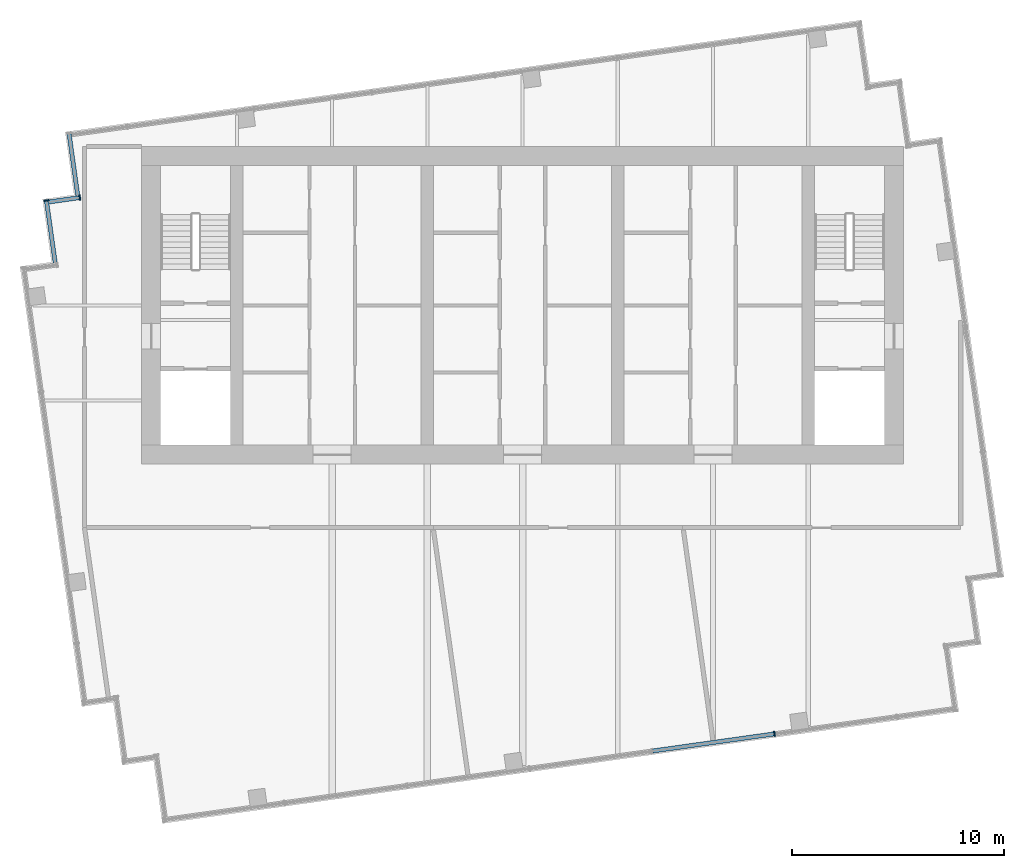
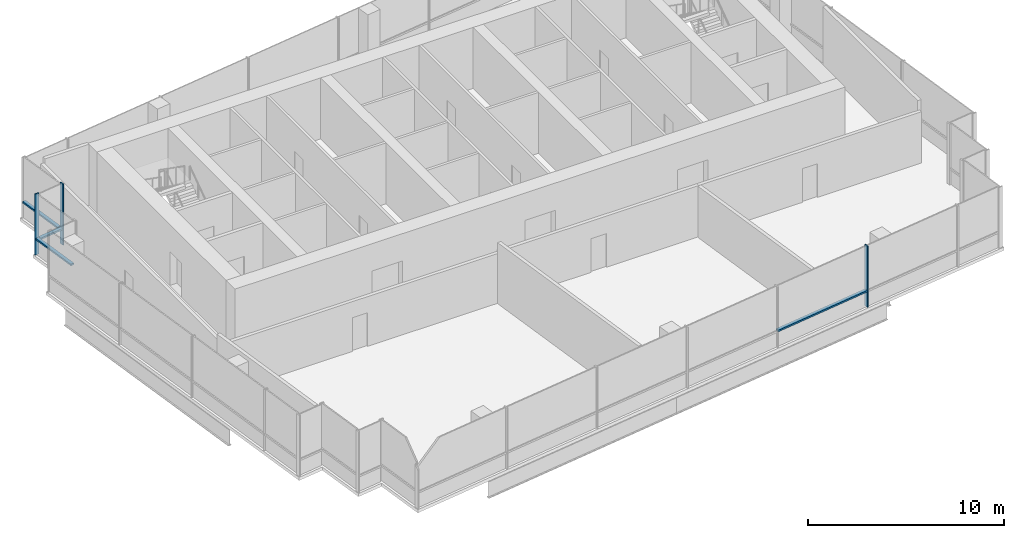
# One storey, part 3 of 10: 7 members, 4 elements without a shape of their own.
"""IFC4 building model written with IfcOpenShell, lengths in metres."""

from ifc_helpers import new_model, si_unit, direction, frame, origin, origin_2d, place, context, subcontext, project, spatial, rectangle, extrude, material, layer, layer_set, material_profile, profile_set, type_object, element, aggregate, save


model = new_model("IFC4")

# Units and contexts
model_context = context("Model", 3, precision=1e-05, world=origin(), true_north=direction((0.0, 1.0)))
body_context = subcontext(model_context, "Body", "Model", "MODEL_VIEW")
ifc_project = project(units=[si_unit("LENGTHUNIT", "METRE"), si_unit("AREAUNIT", "SQUARE_METRE"), si_unit("VOLUMEUNIT", "CUBIC_METRE"), si_unit("PLANEANGLEUNIT", "RADIAN"), si_unit("MASSUNIT", "GRAM", prefix="KILO")], contexts=[model_context])

# Site, building, storey
site_placement = place(None, origin())
site = spatial("IfcSite", under=ifc_project, at=site_placement, CompositionType="ELEMENT")
building_placement = place(site_placement, origin())
building = spatial("IfcBuilding", under=site, at=building_placement, Name="Rattan Terrace Tower", CompositionType="ELEMENT")
storey_placement = place(building_placement, frame((0.0, 0.0, 308.300048828125)))
storey = spatial("IfcBuildingStorey", under=building, at=storey_placement, Name="C05", CompositionType="ELEMENT", Elevation=308.300048828125)

# Curtain wall, member
ifc_material_1 = material(Name="Aluminium and laminated glass", Category="aluminium")
ifc_layer = layer(ifc_material_1, 0.239990234375)
ifc_layer_set = layer_set([ifc_layer], Name="Lantern Stick Curtain Wall")
curtain_wall_type = type_object("IfcCurtainWallType", Name="Lantern Stick Curtain Wall", PredefinedType="NOTDEFINED", material=ifc_layer_set)
curtain_wall_1_placement = place(storey_placement, origin())
curtain_wall_1 = element("IfcCurtainWall", 1, at=curtain_wall_1_placement, inside=storey, type_object=curtain_wall_type, Name="Lantern curtain wall C05-6", PredefinedType="NOTDEFINED")
ifc_material_2 = material(Name="Aluminium", Category="aluminium")
ifc_material_profile_1 = material_profile(ifc_material_2, rectangle(XDim=0.070068359375, YDim=0.239990234375, at=origin_2d()), Name="Aluminium 70x240")
ifc_profile_set_1 = profile_set([ifc_material_profile_1], Name="Aluminium")
member_type_1 = type_object("IfcMemberType", Name="Lantern CW Mullion 70x240", PredefinedType="MULLION", material=ifc_profile_set_1)
member_1_placement = place(storey_placement, frame((11.90283203125, -20.247314453125, 0.0), z_axis=(0.0, 0.0, 1.0), x_axis=(0.990266952226, 0.13918104515, 0.0)))
member_1 = element("IfcMember", 2, at=member_1_placement, type_object=member_type_1, Name="Mullion cwl-C05-006.6", PredefinedType="MULLION", context=body_context, shape_type="SweptSolid", body=[
    extrude(rectangle(XDim=0.070068359375, YDim=0.239990234375, at=origin_2d()), origin(), (0.0, 0.0, 1.0), 3.800048828125),
])

curtain_wall_2_placement = place(storey_placement, origin())
curtain_wall_2 = element("IfcCurtainWall", 3, at=curtain_wall_2_placement, inside=storey, type_object=curtain_wall_type, Name="Lantern curtain wall C05-18", PredefinedType="NOTDEFINED")
member_2_placement = place(storey_placement, frame((-20.9189453125, 5.09228515625, 0.0), z_axis=(0.0, 0.0, 1.0), x_axis=(-0.990227803001, -0.139459306479, 0.0)))
member_2 = element("IfcMember", 4, at=member_2_placement, type_object=member_type_1, Name="Mullion cwl-C05-018.1", PredefinedType="MULLION", context=body_context, shape_type="SweptSolid", body=[
    extrude(rectangle(XDim=0.070068359375, YDim=0.239990234375, at=origin_2d()), origin(), (0.0, 0.0, 1.0), 3.800048828125),
])

curtain_wall_3_placement = place(storey_placement, origin())
curtain_wall_3 = element("IfcCurtainWall", 5, at=curtain_wall_3_placement, inside=storey, type_object=curtain_wall_type, Name="Lantern curtain wall C05-19", PredefinedType="NOTDEFINED")
member_3_placement = place(storey_placement, frame((-22.498779296875, 4.95556640625, 0.0), z_axis=(0.0, 0.0, 1.0), x_axis=(0.139367219175, -0.990240767803, 0.0)))
member_3 = element("IfcMember", 6, at=member_3_placement, type_object=member_type_1, Name="Mullion cwl-C05-019.1", PredefinedType="MULLION", context=body_context, shape_type="SweptSolid", body=[
    extrude(rectangle(XDim=0.070068359375, YDim=0.239990234375, at=origin_2d()), origin(), (0.0, 0.0, 1.0), 3.800048828125),
])

# Member
ifc_material_3 = material(Name="Aluminium", Category="aluminium")
ifc_material_profile_2 = material_profile(ifc_material_3, rectangle(XDim=0.199951171875, YDim=0.10009765625, at=origin_2d()), Name="Aluminium 200x100")
ifc_profile_set_2 = profile_set([ifc_material_profile_2], Name="Aluminium")
member_type_2 = type_object("IfcMemberType", Name="Lantern CW Transom 200x100", PredefinedType="USERDEFINED", material=ifc_profile_set_2)
member_4_placement = place(storey_placement, frame((6.1484375, -21.05615234375, 1.0), z_axis=(0.990265684123, 0.139190067348, 0.0), x_axis=(-0.139190067348, 0.990265684123, 0.0)))
member_4 = element("IfcMember", 7, at=member_4_placement, type_object=member_type_2, Name="Transom cwl-C05-006.5", ObjectType="TRANSOM", PredefinedType="USERDEFINED", context=body_context, shape_type="SweptSolid", body=[
    extrude(rectangle(XDim=0.199951171875, YDim=0.10009765625, at=origin_2d()), origin(), (0.0, 0.0, 1.0), 5.77587890625),
])

aggregate(curtain_wall_1, [member_1, member_4])

# Curtain wall, member
curtain_wall_4_placement = place(storey_placement, origin())
curtain_wall_4 = element("IfcCurtainWall", 8, at=curtain_wall_4_placement, inside=storey, type_object=curtain_wall_type, Name="Lantern curtain wall C05-17", PredefinedType="NOTDEFINED")
member_5_placement = place(storey_placement, frame((-21.427001953125, 8.099853515625, 1.0), z_axis=(0.139028781454, -0.990288340801, 0.0), x_axis=(0.990288340801, 0.139028781454, 0.0)))
member_5 = element("IfcMember", 9, at=member_5_placement, type_object=member_type_2, Name="Transom cwl-C05-017.1", ObjectType="TRANSOM", PredefinedType="USERDEFINED", context=body_context, shape_type="SweptSolid", body=[
    extrude(rectangle(XDim=0.199951171875, YDim=0.10009765625, at=origin_2d()), origin(), (0.0, 0.0, 1.0), 2.92919921875),
])
aggregate(curtain_wall_4, [member_5])

# Member
member_6_placement = place(storey_placement, frame((-20.95361328125, 5.08740234375, 1.0), z_axis=(-0.990227834808, -0.139459080636, 0.0), x_axis=(0.139459080636, -0.990227834808, 0.0)))
member_6 = element("IfcMember", 10, at=member_6_placement, type_object=member_type_2, Name="Transom cwl-C05-018.1", ObjectType="TRANSOM", PredefinedType="USERDEFINED", context=body_context, shape_type="SweptSolid", body=[
    extrude(rectangle(XDim=0.199951171875, YDim=0.10009765625, at=origin_2d()), origin(), (0.0, 0.0, 1.0), 1.428466796875),
])

aggregate(curtain_wall_2, [member_2, member_6])

member_7_placement = place(storey_placement, frame((-22.493896484375, 4.9208984375, 1.0), z_axis=(0.139355716724, -0.990242386599, 0.0), x_axis=(0.990242386599, 0.139355716724, 0.0)))
member_7 = element("IfcMember", 11, at=member_7_placement, type_object=member_type_2, Name="Transom cwl-C05-019.1", ObjectType="TRANSOM", PredefinedType="USERDEFINED", context=body_context, shape_type="SweptSolid", body=[
    extrude(rectangle(XDim=0.199951171875, YDim=0.10009765625, at=origin_2d()), origin(), (0.0, 0.0, 1.0), 2.92919921875),
])

aggregate(curtain_wall_3, [member_3, member_7])

save(model, "model.ifc")
